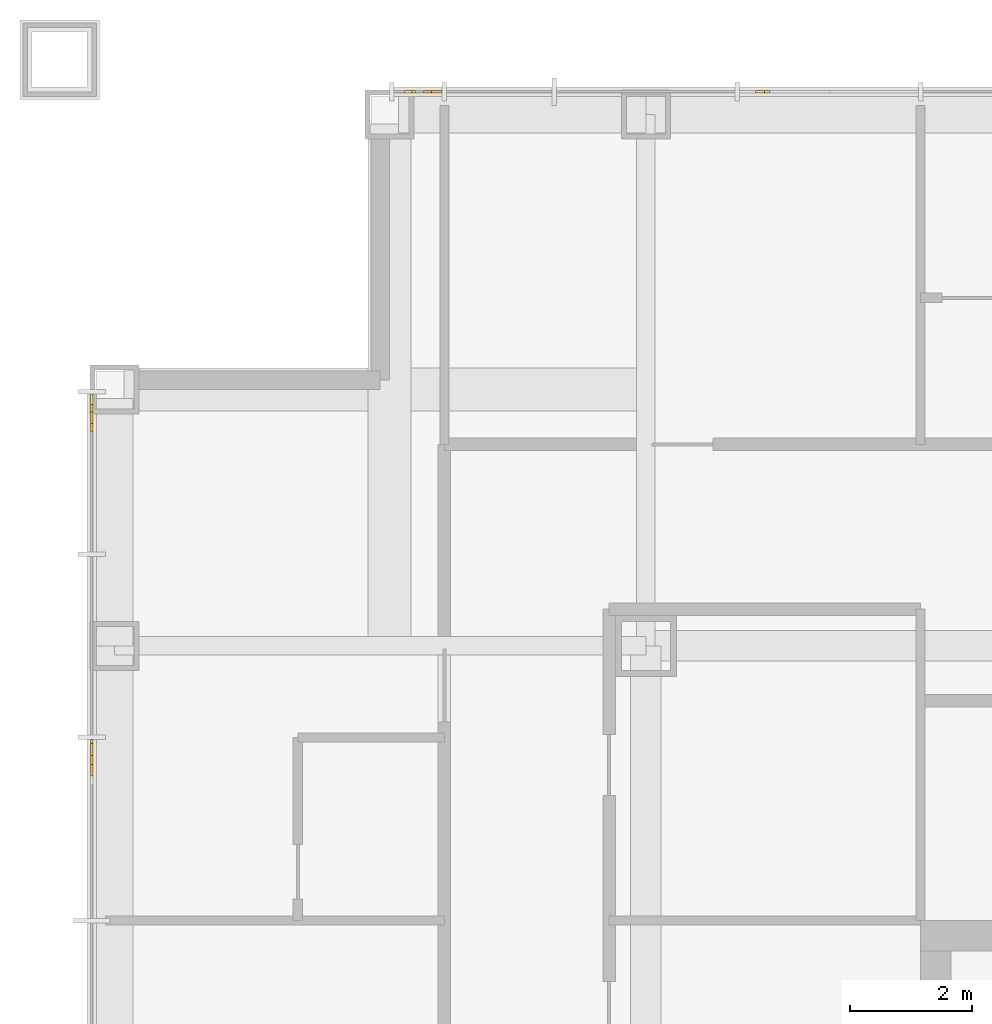
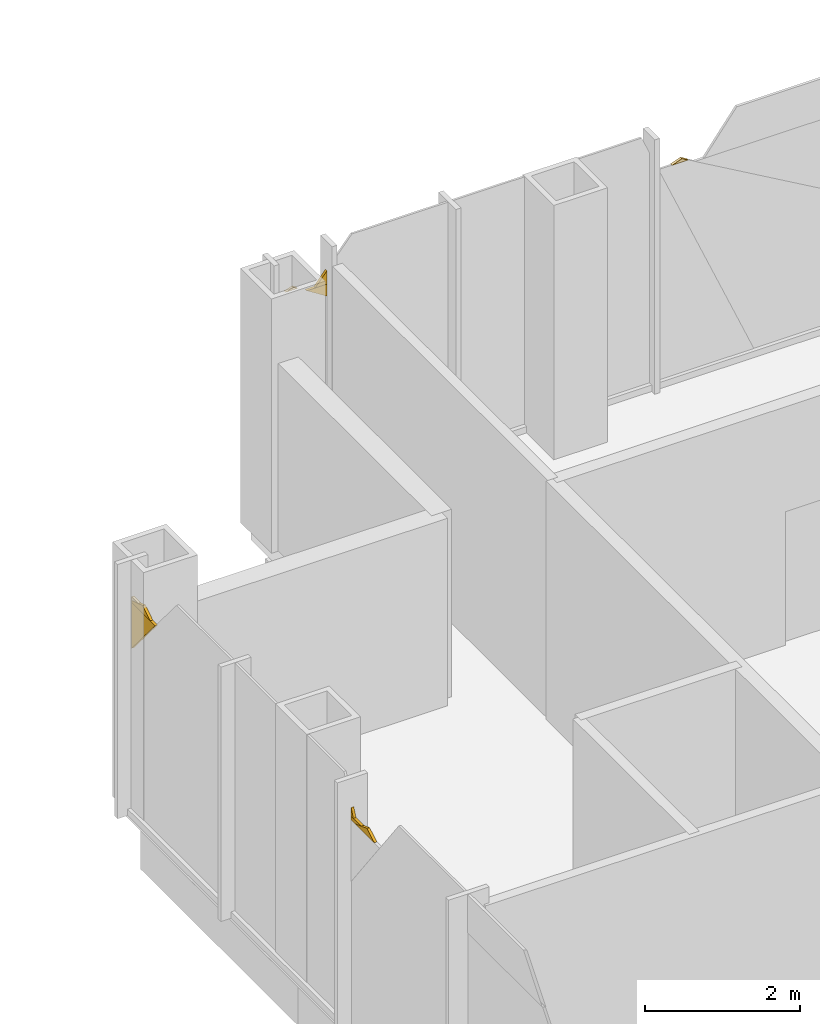
# One storey, part 19 of 25: 10 coverings.
"""IFC4 building model written with IfcOpenShell, lengths in metres."""

from ifc_helpers import new_model, si_unit, direction, frame, origin, place, context, subcontext, project, spatial, polyline, outline, extrude, material, layer, layer_set, type_object, element, save


model = new_model("IFC4")

# Units and contexts
model_context = context("Model", 3, precision=1e-05, world=origin(), true_north=direction((0.0, 1.0)))
body_context = subcontext(model_context, "Body", "Model", "MODEL_VIEW")
ifc_project = project(units=[si_unit("LENGTHUNIT", "METRE"), si_unit("AREAUNIT", "SQUARE_METRE"), si_unit("VOLUMEUNIT", "CUBIC_METRE"), si_unit("PLANEANGLEUNIT", "RADIAN"), si_unit("MASSUNIT", "GRAM", prefix="KILO")], contexts=[model_context])

# Site, building, storey
site_placement = place(None, origin())
site = spatial("IfcSite", under=ifc_project, at=site_placement, CompositionType="ELEMENT")
building_placement = place(site_placement, origin())
building = spatial("IfcBuilding", under=site, at=building_placement, Name="Malebo Sky Hospital", CompositionType="ELEMENT")
storey_placement = place(building_placement, frame((0.0, 0.0, 241.0)))
storey = spatial("IfcBuildingStorey", under=building, at=storey_placement, Name="L58", CompositionType="ELEMENT", Elevation=241.0)

# Coverings
ifc_material = material(Name="Anodised aluminium, natural silver insulated infill panel", Category="aluminium")
ifc_layer = layer(ifc_material, 0.0400390625)
ifc_layer_set = layer_set([ifc_layer], Name="BRACE INFILL PANEL 40")
covering_type = type_object("IfcCoveringType", Name="BRACE INFILL PANEL 40", PredefinedType="CLADDING", material=ifc_layer_set)
covering_1_placement = place(storey_placement, frame((43.010986328125, 84.574951171875, 3.14404296875), z_axis=(0.0, 0.0, 1.0), x_axis=(1.0, 0.0, 0.0)))
element("IfcCovering", 1, at=covering_1_placement, inside=storey, type_object=covering_type, Name="Brace infill panel 1.1", PredefinedType="CLADDING", context=body_context, shape_type="SweptSolid", body=[
    extrude(outline(polyline([(0.151611328125, 0.0), (0.151611328125, 0.192138671875), (-0.1513671875, 0.192138671875), (0.151611328125, 0.0)])), frame((0.0, 0.02001953125, 0.0), z_axis=(0.0, -1.0, 0.0), x_axis=(1.0, 0.0, 0.0)), (0.0, 0.0, 1.0), 0.0400390625),
])
covering_2_placement = place(storey_placement, frame((43.074462890625, 84.574951171875, 3.33642578125), z_axis=(0.0, 0.0, 1.0), x_axis=(1.0, 0.0, 0.0)))
element("IfcCovering", 2, at=covering_2_placement, inside=storey, type_object=covering_type, Name="Brace infill panel 1.2", PredefinedType="CLADDING", context=body_context, shape_type="SweptSolid", body=[
    extrude(outline(polyline([(-0.087890625, 0.0), (0.088134765625, 0.0), (0.088134765625, 0.209716796875), (-0.087890625, 0.0)])), frame((0.0, 0.02001953125, 0.0), z_axis=(0.0, -1.0, 0.0), x_axis=(1.0, 0.0, 0.0)), (0.0, 0.0, 1.0), 0.0400390625),
])
covering_3_placement = place(storey_placement, frame((42.636962890625, 84.574951171875, 3.42138671875), z_axis=(0.0, 0.0, 1.0), x_axis=(1.0, 0.0, 0.0)))
element("IfcCovering", 3, at=covering_3_placement, inside=storey, type_object=covering_type, Name="Brace infill panel 1.3", PredefinedType="CLADDING", context=body_context, shape_type="SweptSolid", body=[
    extrude(outline(polyline([(-0.088623046875, 0.0), (0.088623046875, 0.0), (0.029052734375, 0.037841796875), (-0.088623046875, 0.0)])), frame((0.0, 0.02001953125, 0.0), z_axis=(0.0, -1.0, 0.0), x_axis=(1.0, 0.0, 0.0)), (0.0, 0.0, 1.0), 0.0400390625),
])
covering_4_placement = place(storey_placement, frame((48.416259765625, 84.574951171875, 3.4052734375), z_axis=(0.0, 0.0, 1.0), x_axis=(1.0, 0.0, 0.0)))
element("IfcCovering", 4, at=covering_4_placement, inside=storey, type_object=covering_type, Name="Brace infill panel 4.4", PredefinedType="CLADDING", context=body_context, shape_type="SweptSolid", body=[
    extrude(outline(polyline([(-0.119873046875, 0.0), (0.119873046875, 0.0), (0.027099609375, 0.053466796875), (-0.119873046875, 0.0)])), frame((0.0, 0.02001953125, 0.0), z_axis=(0.0, -1.0, 0.0), x_axis=(1.0, 0.0, 0.0)), (0.0, 0.0, 1.0), 0.0400390625),
])
covering_5_placement = place(storey_placement, frame((37.425048828125, 73.61279296875, 3.34814453125), z_axis=(0.0, 0.0, 1.0), x_axis=(0.0, 1.0, 0.0)))
element("IfcCovering", 5, at=covering_5_placement, inside=storey, type_object=covering_type, Name="Brace infill panel 11.2", PredefinedType="CLADDING", context=body_context, shape_type="SweptSolid", body=[
    extrude(outline(polyline([(-0.24853515625, 0.0), (0.24853515625, 0.0), (-0.05615234375, 0.11083984375), (-0.24853515625, 0.0)])), frame((0.0, 0.02001953125, 0.0), z_axis=(0.0, -1.0, 0.0), x_axis=(1.0, 0.0, 0.0)), (0.0, 0.0, 1.0), 0.0400390625),
])
covering_6_placement = place(storey_placement, frame((37.425048828125, 73.8330078125, 3.34814453125), z_axis=(0.0, 0.0, 1.0), x_axis=(0.0, 1.0, 0.0)))
element("IfcCovering", 6, at=covering_6_placement, inside=storey, type_object=covering_type, Name="Brace infill panel 11.3", PredefinedType="CLADDING", context=body_context, shape_type="SweptSolid", body=[
    extrude(outline(polyline([(0.0283203125, 0.0), (0.12939453125, 0.0), (0.12939453125, 0.057373046875), (-0.12939453125, 0.057373046875), (0.0283203125, 0.0)])), frame((0.0, 0.02001953125, 0.0), z_axis=(0.0, -1.0, 0.0), x_axis=(1.0, 0.0, 0.0)), (0.0, 0.0, 1.0), 0.0400390625),
])
covering_7_placement = place(storey_placement, frame((37.425048828125, 73.93359375, 3.405517578125), z_axis=(0.0, 0.0, 1.0), x_axis=(0.0, 1.0, 0.0)))
element("IfcCovering", 7, at=covering_7_placement, inside=storey, type_object=covering_type, Name="Brace infill panel 11.4", PredefinedType="CLADDING", context=body_context, shape_type="SweptSolid", body=[
    extrude(outline(polyline([(-0.029052734375, 0.0), (0.029052734375, 0.0), (0.029052734375, 0.13525390625), (-0.029052734375, 0.0)])), frame((0.0, 0.02001953125, 0.0), z_axis=(0.0, -1.0, 0.0), x_axis=(1.0, 0.0, 0.0)), (0.0, 0.0, 1.0), 0.0400390625),
])
covering_8_placement = place(storey_placement, frame((37.425048828125, 79.3193359375, 2.609130859375), z_axis=(0.0, 0.0, 1.0), x_axis=(0.0, 1.0, 0.0)))
element("IfcCovering", 8, at=covering_8_placement, inside=storey, type_object=covering_type, Name="Brace infill panel 13.1", PredefinedType="CLADDING", context=body_context, shape_type="SweptSolid", body=[
    extrude(outline(polyline([(0.3056640625, 0.0), (0.3056640625, 0.72705078125), (-0.3056640625, 0.72705078125), (0.3056640625, 0.0)])), frame((0.0, 0.02001953125, 0.0), z_axis=(0.0, -1.0, 0.0), x_axis=(1.0, 0.0, 0.0)), (0.0, 0.0, 1.0), 0.0400390625),
])
covering_9_placement = place(storey_placement, frame((37.425048828125, 79.382568359375, 3.33642578125), z_axis=(0.0, 0.0, 1.0), x_axis=(0.0, 1.0, 0.0)))
element("IfcCovering", 9, at=covering_9_placement, inside=storey, type_object=covering_type, Name="Brace infill panel 13.2", PredefinedType="CLADDING", context=body_context, shape_type="SweptSolid", body=[
    extrude(outline(polyline([(-0.2421875, 0.0), (0.2421875, 0.0), (0.2421875, 0.029296875), (-0.048583984375, 0.122802734375), (-0.2421875, 0.0)])), frame((0.0, 0.02001953125, 0.0), z_axis=(0.0, -1.0, 0.0), x_axis=(1.0, 0.0, 0.0)), (0.0, 0.0, 1.0), 0.0400390625),
])
covering_10_placement = place(storey_placement, frame((37.425048828125, 79.538330078125, 3.36572265625), z_axis=(0.0, 0.0, 1.0), x_axis=(0.0, 1.0, 0.0)))
element("IfcCovering", 10, at=covering_10_placement, inside=storey, type_object=covering_type, Name="Brace infill panel 13.3", PredefinedType="CLADDING", context=body_context, shape_type="SweptSolid", body=[
    extrude(outline(polyline([(0.086669921875, 0.0), (0.086669921875, 0.0556640625), (-0.086669921875, 0.0556640625), (0.086669921875, 0.0)])), frame((0.0, 0.02001953125, 0.0), z_axis=(0.0, -1.0, 0.0), x_axis=(1.0, 0.0, 0.0)), (0.0, 0.0, 1.0), 0.0400390625),
])

save(model, "model.ifc")
